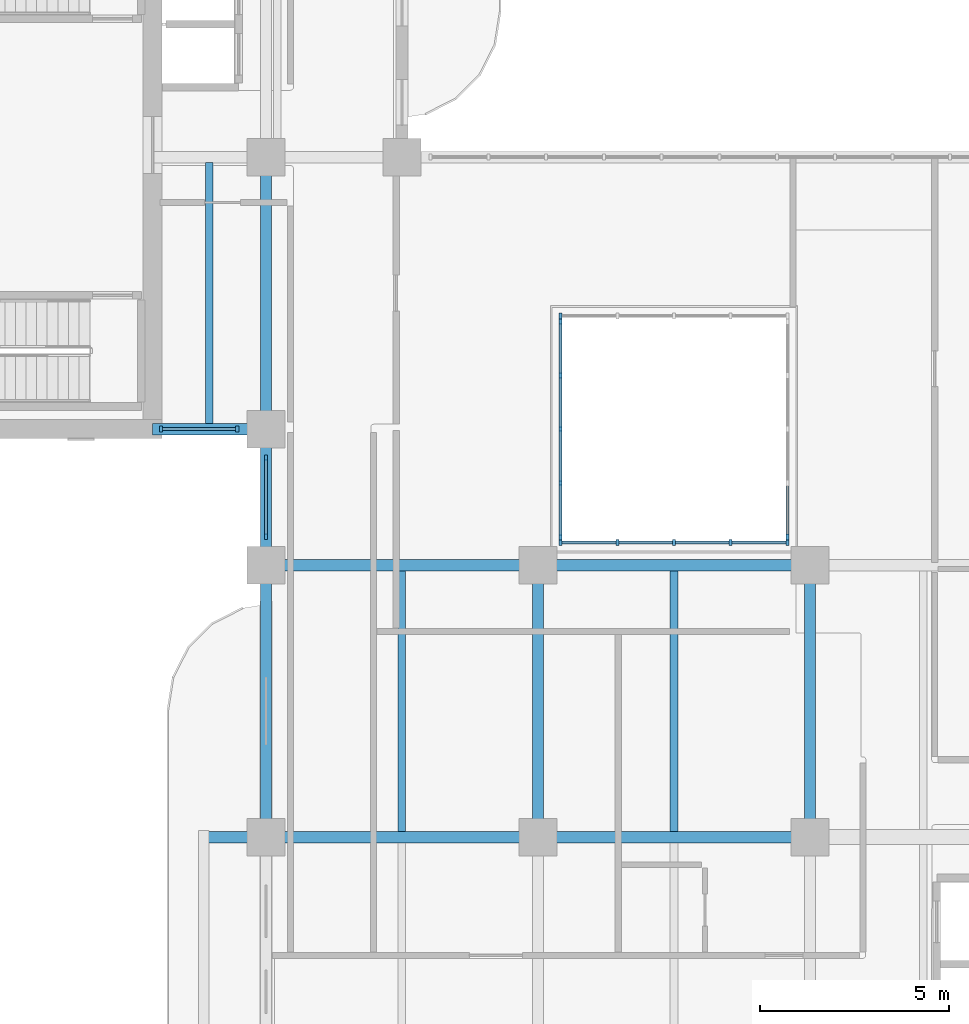
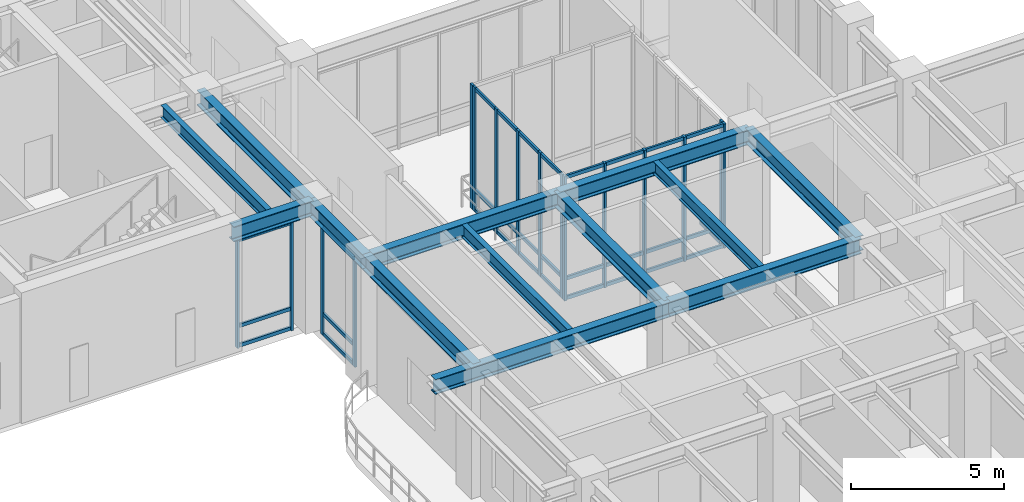
# One storey, part 2 of 21: 47 members, 13 beams, 6 elements without a shape of their own.
"""IFC4 building model written with IfcOpenShell, lengths in metres."""

from ifc_helpers import new_model, si_unit, derived_unit, direction, frame, origin, origin_2d, place, context, subcontext, project, spatial, rectangle, i_section, extrude, source, transform, mapped, material, layer, layer_set, material_profile, profile_set, type_object, type_shapes, element, aggregate, save


model = new_model("IFC4")

# Units and contexts
model_context = context("Model", 3, precision=1e-05, world=origin(), true_north=direction((0.0, 1.0)))
body_context = subcontext(model_context, "Body", "Model", "MODEL_VIEW")
ifc_project = project(units=[si_unit("LENGTHUNIT", "METRE"), si_unit("AREAUNIT", "SQUARE_METRE"), si_unit("VOLUMEUNIT", "CUBIC_METRE"), si_unit("PLANEANGLEUNIT", "RADIAN"), si_unit("MASSUNIT", "GRAM", prefix="KILO"), si_unit("THERMODYNAMICTEMPERATUREUNIT", "KELVIN"), si_unit("POWERUNIT", "WATT"), derived_unit("THERMALTRANSMITTANCEUNIT", [(si_unit("POWERUNIT", "WATT"), 1), (si_unit("AREAUNIT", "SQUARE_METRE"), -1), (si_unit("THERMODYNAMICTEMPERATUREUNIT", "KELVIN"), -1)])], contexts=[model_context])

# Site, building, storey
site_placement = place(None, origin())
site = spatial("IfcSite", under=ifc_project, at=site_placement, CompositionType="ELEMENT")
building_placement = place(site_placement, origin())
building = spatial("IfcBuilding", under=site, at=building_placement, Name="Zahravan Archway Hotel and Residences", CompositionType="ELEMENT")
storey_placement = place(building_placement, frame((0.0, 0.0, 145.10009765625)))
storey = spatial("IfcBuildingStorey", under=building, at=storey_placement, Name="L36", CompositionType="ELEMENT", Elevation=145.10009765625)

# Beams
ifc_material_1 = material(Name="Structural Steel S355JR", Category="steel")
ifc_material_profile_1 = material_profile(ifc_material_1, i_section(OverallWidth=0.300048828125, OverallDepth=0.60009765625, WebThickness=0.015380859375, FlangeThickness=0.030029296875, FilletRadius=0.027099609375, at=origin_2d()), Name="HEB 600", Category="steel")
ifc_profile_set_1 = profile_set([ifc_material_profile_1], Name="Structural Steel S355JR")
beam_type_1 = type_object("IfcBeamType", Name="BM-PRI-HEB600", PredefinedType="BEAM", material=ifc_profile_set_1)
shared_shape_1 = source(origin(), body_context, "Body", "SweptSolid", [
    extrude(i_section(OverallWidth=0.300048828125, OverallDepth=0.60009765625, WebThickness=0.015380859375, FlangeThickness=0.030029296875, FilletRadius=0.027099609375, at=origin_2d()), origin(), (0.0, 0.0, 1.0), 7.2001953125),
])
type_shapes(beam_type_1, [shared_shape_1])
for number, where, z_axis, x_axis, name in (
    (1, (14.39990234375, 21.60009765625, 4.64990234375), (1.0, 0.0, 0.0), (0.0, 1.0, 0.0), "L36 Primary Girder EW-11"),
    (2, (14.39990234375, 14.39990234375, 4.64990234375), (0.0, 1.0, 0.0), (-1.0, 0.0, 0.0), "L36 Primary Girder NS-30"),
    (3, (21.60009765625, 14.39990234375, 4.64990234375), (0.0, 1.0, 0.0), (-1.0, 0.0, 0.0), "L36 Primary Girder NS-37"),
    (4, (28.800048828125, 14.39990234375, 4.64990234375), (0.0, 1.0, 0.0), (-1.0, 0.0, 0.0), "L36 Primary Girder NS-40"),
):
    element("IfcBeam", number, at=place(storey_placement, frame(where, z_axis=z_axis, x_axis=x_axis)), inside=storey, type_object=beam_type_1, Name=name, PredefinedType="BEAM", context=body_context, shape_type="MappedRepresentation", body=[
        mapped(shared_shape_1, transform((0.0, 0.0, 0.0), scale=1.0)),
    ])
shared_shape_2 = source(origin(), body_context, "Body", "SweptSolid", [
    extrude(i_section(OverallWidth=0.300048828125, OverallDepth=0.60009765625, WebThickness=0.015380859375, FlangeThickness=0.030029296875, FilletRadius=0.027099609375, at=origin_2d()), origin(), (0.0, 0.0, 1.0), 7.199951171875),
])
for number, where, z_axis, x_axis, name in (
    (5, (21.60009765625, 14.39990234375, 4.64990234375), (1.0, 0.0, 0.0), (0.0, 1.0, 0.0), "L36 Primary Girder EW-10"),
    (6, (21.60009765625, 21.60009765625, 4.64990234375), (1.0, 0.0, 0.0), (0.0, 1.0, 0.0), "L36 Primary Girder EW-12"),
    (7, (14.39990234375, 25.199951171875, 4.64990234375), (0.0, 1.0, 0.0), (-1.0, 0.0, 0.0), "L36 Primary Girder NS-32"),
):
    element("IfcBeam", number, at=place(storey_placement, frame(where, z_axis=z_axis, x_axis=x_axis)), inside=storey, type_object=beam_type_1, Name=name, PredefinedType="BEAM", context=body_context, shape_type="MappedRepresentation", body=[
        mapped(shared_shape_2, transform((0.0, 0.0, 0.0), scale=1.0)),
    ])
shared_shape_3 = source(origin(), body_context, "Body", "SweptSolid", [
    extrude(i_section(OverallWidth=0.300048828125, OverallDepth=0.60009765625, WebThickness=0.015380859375, FlangeThickness=0.030029296875, FilletRadius=0.027099609375, at=origin_2d()), origin(), (0.0, 0.0, 1.0), 8.85009765625),
])
beam_1_placement = place(storey_placement, frame((12.75, 14.39990234375, 4.64990234375), z_axis=(1.0, 0.0, 0.0), x_axis=(0.0, 1.0, 0.0)))
element("IfcBeam", 8, at=beam_1_placement, inside=storey, type_object=beam_type_1, Name="L36 Primary Girder EW-09", PredefinedType="BEAM", context=body_context, shape_type="MappedRepresentation", body=[
    mapped(shared_shape_3, transform((0.0, 0.0, 0.0), scale=1.0)),
])
shared_shape_4 = source(origin(), body_context, "Body", "SweptSolid", [
    extrude(i_section(OverallWidth=0.300048828125, OverallDepth=0.60009765625, WebThickness=0.015380859375, FlangeThickness=0.030029296875, FilletRadius=0.027099609375, at=origin_2d()), origin(), (0.0, 0.0, 1.0), 3.0),
])
beam_2_placement = place(storey_placement, frame((11.39990234375, 25.199951171875, 4.64990234375), z_axis=(1.0, 0.0, 0.0), x_axis=(0.0, 1.0, 0.0)))
element("IfcBeam", 9, at=beam_2_placement, inside=storey, type_object=beam_type_1, Name="L36 Primary Girder EW-16", PredefinedType="BEAM", context=body_context, shape_type="MappedRepresentation", body=[
    mapped(shared_shape_4, transform((0.0, 0.0, 0.0), scale=1.0)),
])
shared_shape_5 = source(origin(), body_context, "Body", "SweptSolid", [
    extrude(i_section(OverallWidth=0.300048828125, OverallDepth=0.60009765625, WebThickness=0.015380859375, FlangeThickness=0.030029296875, FilletRadius=0.027099609375, at=origin_2d()), origin(), (0.0, 0.0, 1.0), 3.599853515625),
])
beam_3_placement = place(storey_placement, frame((14.39990234375, 21.60009765625, 4.64990234375), z_axis=(0.0, 1.0, 0.0), x_axis=(-1.0, 0.0, 0.0)))
element("IfcBeam", 10, at=beam_3_placement, inside=storey, type_object=beam_type_1, Name="L36 Primary Girder NS-31", PredefinedType="BEAM", context=body_context, shape_type="MappedRepresentation", body=[
    mapped(shared_shape_5, transform((0.0, 0.0, 0.0), scale=1.0)),
])
ifc_material_profile_2 = material_profile(ifc_material_1, i_section(OverallWidth=0.199951171875, OverallDepth=0.5, WebThickness=0.01025390625, FlangeThickness=0.01611328125, FilletRadius=0.02099609375, at=origin_2d()), Name="IPE 500", Category="steel")
ifc_profile_set_2 = profile_set([ifc_material_profile_2], Name="Structural Steel S355JR")
beam_type_2 = type_object("IfcBeamType", Name="BM-JST-IPE500", PredefinedType="JOIST", material=ifc_profile_set_2)
shared_shape_6 = source(origin(), body_context, "Body", "SweptSolid", [
    extrude(i_section(OverallWidth=0.199951171875, OverallDepth=0.5, WebThickness=0.01025390625, FlangeThickness=0.01611328125, FilletRadius=0.02099609375, at=origin_2d()), origin(), (0.0, 0.0, 1.0), 6.904052734375),
])
type_shapes(beam_type_2, [shared_shape_6])
beam_4_placement = place(storey_placement, frame((12.89990234375, 25.347900390625, 4.699951171875), z_axis=(0.0, 1.0, 0.0), x_axis=(-1.0, 0.0, 0.0)))
element("IfcBeam", 11, at=beam_4_placement, inside=storey, type_object=beam_type_2, Name="L36 Composite Floor Joist 10", PredefinedType="JOIST", context=body_context, shape_type="MappedRepresentation", body=[
    mapped(shared_shape_6, transform((0.0, 0.0, 0.0), scale=1.0)),
])
shared_shape_7 = source(origin(), body_context, "Body", "SweptSolid", [
    extrude(i_section(OverallWidth=0.199951171875, OverallDepth=0.5, WebThickness=0.01025390625, FlangeThickness=0.01611328125, FilletRadius=0.02099609375, at=origin_2d()), origin(), (0.0, 0.0, 1.0), 6.90380859375),
])
for number, where, z_axis, x_axis, name in (
    (12, (18.0, 14.548095703125, 4.699951171875), (0.0, 1.0, 0.0), (-1.0, 0.0, 0.0), "L36 Composite Floor Joist 08"),
    (13, (25.199951171875, 14.548095703125, 4.699951171875), (0.0, 1.0, 0.0), (-1.0, 0.0, 0.0), "L36 Composite Floor Joist 09"),
):
    element("IfcBeam", number, at=place(storey_placement, frame(where, z_axis=z_axis, x_axis=x_axis)), inside=storey, type_object=beam_type_2, Name=name, PredefinedType="JOIST", context=body_context, shape_type="MappedRepresentation", body=[
        mapped(shared_shape_7, transform((0.0, 0.0, 0.0), scale=1.0)),
    ])

# Curtain wall, members
ifc_material_2 = material(Name="Bronze-Anodized Unitised Aluminium & Low-E Glass", Category="aluminium")
ifc_layer_1 = layer(ifc_material_2, 0.179931640625, Name="Bronze-Anodized Unitised Aluminium & Low-E Glass", Category="aluminium")
ifc_layer_set_1 = layer_set([ifc_layer_1], Name="Bronze-Anodized Unitised Aluminium & Low-E Glass")
curtain_wall_type_1 = type_object("IfcCurtainWallType", Name="CW-SBG-2", PredefinedType="NOTDEFINED", material=ifc_layer_set_1)
curtain_wall_1_placement = place(storey_placement, origin())
curtain_wall_1 = element("IfcCurtainWall", 14, at=curtain_wall_1_placement, inside=storey, type_object=curtain_wall_type_1, Name="L36 Curtain Wall CW-L36-WB-SE-1", PredefinedType="NOTDEFINED")
ifc_material_3 = material(Name="Bronze-Anodized Extruded Aluminium", Category="aluminium")
ifc_material_profile_3 = material_profile(ifc_material_3, rectangle(XDim=0.080078125, YDim=0.139892578125, at=origin_2d()), Name="TRN 80x140", Category="aluminium")
ifc_profile_set_3 = profile_set([ifc_material_profile_3], Name="Bronze-Anodized Extruded Aluminium")
member_type_1 = type_object("IfcMemberType", Name="CWM-TRN-140", PredefinedType="USERDEFINED", material=ifc_profile_set_3)
shared_shape_8 = source(origin(), body_context, "Body", "SweptSolid", [
    extrude(rectangle(XDim=0.080078125, YDim=0.139892578125, at=origin_2d()), origin(), (0.0, 0.0, 1.0), 1.940185546875),
])
member_1_placement = place(storey_placement, frame((11.659912109375, 25.199951171875, 0.06982421875), z_axis=(1.0, 0.0, 0.0), x_axis=(0.0, 1.0, 0.0)))
member_1 = element("IfcMember", 15, at=member_1_placement, type_object=member_type_1, Name="CW-L36-WB-SE-1 Transom 0-1", ObjectType="TRANSOM", PredefinedType="USERDEFINED", context=body_context, shape_type="MappedRepresentation", body=[
    mapped(shared_shape_8, transform((0.0, 0.0, 0.0), scale=1.0)),
])
member_2_placement = place(storey_placement, frame((11.659912109375, 25.199951171875, 0.849853515625), z_axis=(1.0, 0.0, 0.0), x_axis=(0.0, 1.0, 0.0)))
member_2 = element("IfcMember", 16, at=member_2_placement, type_object=member_type_1, Name="CW-L36-WB-SE-1 Transom 0-2", ObjectType="TRANSOM", PredefinedType="USERDEFINED", context=body_context, shape_type="MappedRepresentation", body=[
    mapped(shared_shape_8, transform((0.0, 0.0, 0.0), scale=1.0)),
])
member_3_placement = place(storey_placement, frame((11.659912109375, 25.199951171875, 4.264892578125), z_axis=(1.0, 0.0, 0.0), x_axis=(0.0, 1.0, 0.0)))
member_3 = element("IfcMember", 17, at=member_3_placement, type_object=member_type_1, Name="CW-L36-WB-SE-1 Transom 0-3", ObjectType="TRANSOM", PredefinedType="USERDEFINED", context=body_context, shape_type="MappedRepresentation", body=[
    mapped(shared_shape_8, transform((0.0, 0.0, 0.0), scale=1.0)),
])

curtain_wall_2_placement = place(storey_placement, origin())
curtain_wall_2 = element("IfcCurtainWall", 18, at=curtain_wall_2_placement, inside=storey, type_object=curtain_wall_type_1, Name="L36 Curtain Wall CW-L36-WA-WLU-1", PredefinedType="NOTDEFINED")
shared_shape_9 = source(origin(), body_context, "Body", "SweptSolid", [
    extrude(rectangle(XDim=0.080078125, YDim=0.139892578125, at=origin_2d()), origin(), (0.0, 0.0, 1.0), 2.0),
])
member_4_placement = place(storey_placement, frame((14.39990234375, 22.39990234375, 0.06982421875), z_axis=(0.0, 1.0, 0.0), x_axis=(-1.0, 0.0, 0.0)))
member_4 = element("IfcMember", 19, at=member_4_placement, type_object=member_type_1, Name="CW-L36-WA-WLU-1 Transom 0-1", ObjectType="TRANSOM", PredefinedType="USERDEFINED", context=body_context, shape_type="MappedRepresentation", body=[
    mapped(shared_shape_9, transform((0.0, 0.0, 0.0), scale=1.0)),
])
member_5_placement = place(storey_placement, frame((14.39990234375, 22.39990234375, 0.849853515625), z_axis=(0.0, 1.0, 0.0), x_axis=(-1.0, 0.0, 0.0)))
member_5 = element("IfcMember", 20, at=member_5_placement, type_object=member_type_1, Name="CW-L36-WA-WLU-1 Transom 0-2", ObjectType="TRANSOM", PredefinedType="USERDEFINED", context=body_context, shape_type="MappedRepresentation", body=[
    mapped(shared_shape_9, transform((0.0, 0.0, 0.0), scale=1.0)),
])
member_6_placement = place(storey_placement, frame((14.39990234375, 22.39990234375, 4.264892578125), z_axis=(0.0, 1.0, 0.0), x_axis=(-1.0, 0.0, 0.0)))
member_6 = element("IfcMember", 21, at=member_6_placement, type_object=member_type_1, Name="CW-L36-WA-WLU-1 Transom 0-3", ObjectType="TRANSOM", PredefinedType="USERDEFINED", context=body_context, shape_type="MappedRepresentation", body=[
    mapped(shared_shape_9, transform((0.0, 0.0, 0.0), scale=1.0)),
])

ifc_layer_2 = layer(ifc_material_2, 0.179931640625, Name="Bronze-Anodized Unitised Aluminium & Low-E Glass", Category="aluminium")
ifc_layer_set_2 = layer_set([ifc_layer_2], Name="Bronze-Anodized Unitised Aluminium & Low-E Glass")
curtain_wall_type_2 = type_object("IfcCurtainWallType", Name="CW-ATR-GLAZ", PredefinedType="NOTDEFINED", material=ifc_layer_set_2)
curtain_wall_3_placement = place(storey_placement, origin())
curtain_wall_3 = element("IfcCurtainWall", 22, at=curtain_wall_3_placement, inside=storey, type_object=curtain_wall_type_2, Name="L36 Curtain Wall CW-ATR-L36-S-1", PredefinedType="NOTDEFINED")
shared_shape_10 = source(origin(), body_context, "Body", "SweptSolid", [
    extrude(rectangle(XDim=0.080078125, YDim=0.139892578125, at=origin_2d()), origin(), (0.0, 0.0, 1.0), 1.419921875),
])
member_7_placement = place(storey_placement, frame((22.239990234375, 22.199951171875, 0.06982421875), z_axis=(1.0, 0.0, 0.0), x_axis=(0.0, 1.0, 0.0)))
member_7 = element("IfcMember", 23, at=member_7_placement, type_object=member_type_1, Name="CW-ATR-L36-S-1 Transom 0-1", ObjectType="TRANSOM", PredefinedType="USERDEFINED", context=body_context, shape_type="MappedRepresentation", body=[
    mapped(shared_shape_10, transform((0.0, 0.0, 0.0), scale=1.0)),
])
member_8_placement = place(storey_placement, frame((22.239990234375, 22.199951171875, 0.849853515625), z_axis=(1.0, 0.0, 0.0), x_axis=(0.0, 1.0, 0.0)))
member_8 = element("IfcMember", 24, at=member_8_placement, type_object=member_type_1, Name="CW-ATR-L36-S-1 Transom 0-2", ObjectType="TRANSOM", PredefinedType="USERDEFINED", context=body_context, shape_type="MappedRepresentation", body=[
    mapped(shared_shape_10, transform((0.0, 0.0, 0.0), scale=1.0)),
])
member_9_placement = place(storey_placement, frame((22.239990234375, 22.199951171875, 4.8798828125), z_axis=(1.0, 0.0, 0.0), x_axis=(0.0, 1.0, 0.0)))
member_9 = element("IfcMember", 25, at=member_9_placement, type_object=member_type_1, Name="CW-ATR-L36-S-1 Transom 0-3", ObjectType="TRANSOM", PredefinedType="USERDEFINED", context=body_context, shape_type="MappedRepresentation", body=[
    mapped(shared_shape_10, transform((0.0, 0.0, 0.0), scale=1.0)),
])
member_10_placement = place(storey_placement, frame((23.739990234375, 22.199951171875, 0.06982421875), z_axis=(1.0, 0.0, 0.0), x_axis=(0.0, 1.0, 0.0)))
member_10 = element("IfcMember", 26, at=member_10_placement, type_object=member_type_1, Name="CW-ATR-L36-S-1 Transom 1-1", ObjectType="TRANSOM", PredefinedType="USERDEFINED", context=body_context, shape_type="MappedRepresentation", body=[
    mapped(shared_shape_10, transform((0.0, 0.0, 0.0), scale=1.0)),
])
member_11_placement = place(storey_placement, frame((23.739990234375, 22.199951171875, 0.849853515625), z_axis=(1.0, 0.0, 0.0), x_axis=(0.0, 1.0, 0.0)))
member_11 = element("IfcMember", 27, at=member_11_placement, type_object=member_type_1, Name="CW-ATR-L36-S-1 Transom 1-2", ObjectType="TRANSOM", PredefinedType="USERDEFINED", context=body_context, shape_type="MappedRepresentation", body=[
    mapped(shared_shape_10, transform((0.0, 0.0, 0.0), scale=1.0)),
])
member_12_placement = place(storey_placement, frame((23.739990234375, 22.199951171875, 4.8798828125), z_axis=(1.0, 0.0, 0.0), x_axis=(0.0, 1.0, 0.0)))
member_12 = element("IfcMember", 28, at=member_12_placement, type_object=member_type_1, Name="CW-ATR-L36-S-1 Transom 1-3", ObjectType="TRANSOM", PredefinedType="USERDEFINED", context=body_context, shape_type="MappedRepresentation", body=[
    mapped(shared_shape_10, transform((0.0, 0.0, 0.0), scale=1.0)),
])
member_13_placement = place(storey_placement, frame((25.239990234375, 22.199951171875, 0.06982421875), z_axis=(1.0, 0.0, 0.0), x_axis=(0.0, 1.0, 0.0)))
member_13 = element("IfcMember", 29, at=member_13_placement, type_object=member_type_1, Name="CW-ATR-L36-S-1 Transom 2-1", ObjectType="TRANSOM", PredefinedType="USERDEFINED", context=body_context, shape_type="MappedRepresentation", body=[
    mapped(shared_shape_10, transform((0.0, 0.0, 0.0), scale=1.0)),
])
member_14_placement = place(storey_placement, frame((25.239990234375, 22.199951171875, 0.849853515625), z_axis=(1.0, 0.0, 0.0), x_axis=(0.0, 1.0, 0.0)))
member_14 = element("IfcMember", 30, at=member_14_placement, type_object=member_type_1, Name="CW-ATR-L36-S-1 Transom 2-2", ObjectType="TRANSOM", PredefinedType="USERDEFINED", context=body_context, shape_type="MappedRepresentation", body=[
    mapped(shared_shape_10, transform((0.0, 0.0, 0.0), scale=1.0)),
])
member_15_placement = place(storey_placement, frame((25.239990234375, 22.199951171875, 4.8798828125), z_axis=(1.0, 0.0, 0.0), x_axis=(0.0, 1.0, 0.0)))
member_15 = element("IfcMember", 31, at=member_15_placement, type_object=member_type_1, Name="CW-ATR-L36-S-1 Transom 2-3", ObjectType="TRANSOM", PredefinedType="USERDEFINED", context=body_context, shape_type="MappedRepresentation", body=[
    mapped(shared_shape_10, transform((0.0, 0.0, 0.0), scale=1.0)),
])
member_16_placement = place(storey_placement, frame((26.739990234375, 22.199951171875, 0.06982421875), z_axis=(1.0, 0.0, 0.0), x_axis=(0.0, 1.0, 0.0)))
member_16 = element("IfcMember", 32, at=member_16_placement, type_object=member_type_1, Name="CW-ATR-L36-S-1 Transom 3-1", ObjectType="TRANSOM", PredefinedType="USERDEFINED", context=body_context, shape_type="MappedRepresentation", body=[
    mapped(shared_shape_10, transform((0.0, 0.0, 0.0), scale=1.0)),
])
member_17_placement = place(storey_placement, frame((26.739990234375, 22.199951171875, 0.849853515625), z_axis=(1.0, 0.0, 0.0), x_axis=(0.0, 1.0, 0.0)))
member_17 = element("IfcMember", 33, at=member_17_placement, type_object=member_type_1, Name="CW-ATR-L36-S-1 Transom 3-2", ObjectType="TRANSOM", PredefinedType="USERDEFINED", context=body_context, shape_type="MappedRepresentation", body=[
    mapped(shared_shape_10, transform((0.0, 0.0, 0.0), scale=1.0)),
])
member_18_placement = place(storey_placement, frame((26.739990234375, 22.199951171875, 4.8798828125), z_axis=(1.0, 0.0, 0.0), x_axis=(0.0, 1.0, 0.0)))
member_18 = element("IfcMember", 34, at=member_18_placement, type_object=member_type_1, Name="CW-ATR-L36-S-1 Transom 3-3", ObjectType="TRANSOM", PredefinedType="USERDEFINED", context=body_context, shape_type="MappedRepresentation", body=[
    mapped(shared_shape_10, transform((0.0, 0.0, 0.0), scale=1.0)),
])

curtain_wall_4_placement = place(storey_placement, origin())
curtain_wall_4 = element("IfcCurtainWall", 35, at=curtain_wall_4_placement, inside=storey, type_object=curtain_wall_type_2, Name="L36 Curtain Wall CW-ATR-L36-W-1", PredefinedType="NOTDEFINED")
shared_shape_11 = source(origin(), body_context, "Body", "SweptSolid", [
    extrude(rectangle(XDim=0.080078125, YDim=0.139892578125, at=origin_2d()), origin(), (0.0, 0.0, 1.0), 1.34521484375),
])
member_19_placement = place(storey_placement, frame((22.199951171875, 22.389892578125, 0.06982421875), z_axis=(0.0, 1.0, 0.0), x_axis=(-1.0, 0.0, 0.0)))
member_19 = element("IfcMember", 36, at=member_19_placement, type_object=member_type_1, Name="CW-ATR-L36-W-1 Transom 0-1", ObjectType="TRANSOM", PredefinedType="USERDEFINED", context=body_context, shape_type="MappedRepresentation", body=[
    mapped(shared_shape_11, transform((0.0, 0.0, 0.0), scale=1.0)),
])
member_20_placement = place(storey_placement, frame((22.199951171875, 22.389892578125, 0.849853515625), z_axis=(0.0, 1.0, 0.0), x_axis=(-1.0, 0.0, 0.0)))
member_20 = element("IfcMember", 37, at=member_20_placement, type_object=member_type_1, Name="CW-ATR-L36-W-1 Transom 0-2", ObjectType="TRANSOM", PredefinedType="USERDEFINED", context=body_context, shape_type="MappedRepresentation", body=[
    mapped(shared_shape_11, transform((0.0, 0.0, 0.0), scale=1.0)),
])
member_21_placement = place(storey_placement, frame((22.199951171875, 22.389892578125, 4.8798828125), z_axis=(0.0, 1.0, 0.0), x_axis=(-1.0, 0.0, 0.0)))
member_21 = element("IfcMember", 38, at=member_21_placement, type_object=member_type_1, Name="CW-ATR-L36-W-1 Transom 0-3", ObjectType="TRANSOM", PredefinedType="USERDEFINED", context=body_context, shape_type="MappedRepresentation", body=[
    mapped(shared_shape_11, transform((0.0, 0.0, 0.0), scale=1.0)),
])

# Curtain wall, member
curtain_wall_5_placement = place(storey_placement, origin())
curtain_wall_5 = element("IfcCurtainWall", 39, at=curtain_wall_5_placement, inside=storey, type_object=curtain_wall_type_2, Name="L36 Curtain Wall CW-ATR-L36-E-1", PredefinedType="NOTDEFINED")
member_22_placement = place(storey_placement, frame((28.199951171875, 22.389892578125, 0.06982421875), z_axis=(0.0, 1.0, 0.0), x_axis=(-1.0, 0.0, 0.0)))
member_22 = element("IfcMember", 40, at=member_22_placement, type_object=member_type_1, Name="CW-ATR-L36-E-1 Transom 0-1", ObjectType="TRANSOM", PredefinedType="USERDEFINED", context=body_context, shape_type="MappedRepresentation", body=[
    mapped(shared_shape_11, transform((0.0, 0.0, 0.0), scale=1.0)),
])

# Member
shared_shape_12 = source(origin(), body_context, "Body", "SweptSolid", [
    extrude(rectangle(XDim=0.080078125, YDim=0.139892578125, at=origin_2d()), origin(), (0.0, 0.0, 1.0), 1.344970703125),
])
member_23_placement = place(storey_placement, frame((22.199951171875, 23.81494140625, 0.06982421875), z_axis=(0.0, 1.0, 0.0), x_axis=(-1.0, 0.0, 0.0)))
member_23 = element("IfcMember", 41, at=member_23_placement, type_object=member_type_1, Name="CW-ATR-L36-W-1 Transom 1-1", ObjectType="TRANSOM", PredefinedType="USERDEFINED", context=body_context, shape_type="MappedRepresentation", body=[
    mapped(shared_shape_12, transform((0.0, 0.0, 0.0), scale=1.0)),
])

member_24_placement = place(storey_placement, frame((22.199951171875, 23.81494140625, 0.849853515625), z_axis=(0.0, 1.0, 0.0), x_axis=(-1.0, 0.0, 0.0)))
member_24 = element("IfcMember", 42, at=member_24_placement, type_object=member_type_1, Name="CW-ATR-L36-W-1 Transom 1-2", ObjectType="TRANSOM", PredefinedType="USERDEFINED", context=body_context, shape_type="MappedRepresentation", body=[
    mapped(shared_shape_12, transform((0.0, 0.0, 0.0), scale=1.0)),
])

member_25_placement = place(storey_placement, frame((22.199951171875, 23.81494140625, 4.8798828125), z_axis=(0.0, 1.0, 0.0), x_axis=(-1.0, 0.0, 0.0)))
member_25 = element("IfcMember", 43, at=member_25_placement, type_object=member_type_1, Name="CW-ATR-L36-W-1 Transom 1-3", ObjectType="TRANSOM", PredefinedType="USERDEFINED", context=body_context, shape_type="MappedRepresentation", body=[
    mapped(shared_shape_12, transform((0.0, 0.0, 0.0), scale=1.0)),
])

member_26_placement = place(storey_placement, frame((22.199951171875, 25.239990234375, 0.06982421875), z_axis=(0.0, 1.0, 0.0), x_axis=(-1.0, 0.0, 0.0)))
member_26 = element("IfcMember", 44, at=member_26_placement, type_object=member_type_1, Name="CW-ATR-L36-W-1 Transom 2-1", ObjectType="TRANSOM", PredefinedType="USERDEFINED", context=body_context, shape_type="MappedRepresentation", body=[
    mapped(shared_shape_12, transform((0.0, 0.0, 0.0), scale=1.0)),
])

member_27_placement = place(storey_placement, frame((22.199951171875, 25.239990234375, 0.849853515625), z_axis=(0.0, 1.0, 0.0), x_axis=(-1.0, 0.0, 0.0)))
member_27 = element("IfcMember", 45, at=member_27_placement, type_object=member_type_1, Name="CW-ATR-L36-W-1 Transom 2-2", ObjectType="TRANSOM", PredefinedType="USERDEFINED", context=body_context, shape_type="MappedRepresentation", body=[
    mapped(shared_shape_12, transform((0.0, 0.0, 0.0), scale=1.0)),
])

member_28_placement = place(storey_placement, frame((22.199951171875, 25.239990234375, 4.8798828125), z_axis=(0.0, 1.0, 0.0), x_axis=(-1.0, 0.0, 0.0)))
member_28 = element("IfcMember", 46, at=member_28_placement, type_object=member_type_1, Name="CW-ATR-L36-W-1 Transom 2-3", ObjectType="TRANSOM", PredefinedType="USERDEFINED", context=body_context, shape_type="MappedRepresentation", body=[
    mapped(shared_shape_12, transform((0.0, 0.0, 0.0), scale=1.0)),
])

member_29_placement = place(storey_placement, frame((22.199951171875, 26.6650390625, 0.06982421875), z_axis=(0.0, 1.0, 0.0), x_axis=(-1.0, 0.0, 0.0)))
member_29 = element("IfcMember", 47, at=member_29_placement, type_object=member_type_1, Name="CW-ATR-L36-W-1 Transom 3-1", ObjectType="TRANSOM", PredefinedType="USERDEFINED", context=body_context, shape_type="MappedRepresentation", body=[
    mapped(shared_shape_12, transform((0.0, 0.0, 0.0), scale=1.0)),
])

member_30_placement = place(storey_placement, frame((22.199951171875, 26.6650390625, 0.849853515625), z_axis=(0.0, 1.0, 0.0), x_axis=(-1.0, 0.0, 0.0)))
member_30 = element("IfcMember", 48, at=member_30_placement, type_object=member_type_1, Name="CW-ATR-L36-W-1 Transom 3-2", ObjectType="TRANSOM", PredefinedType="USERDEFINED", context=body_context, shape_type="MappedRepresentation", body=[
    mapped(shared_shape_12, transform((0.0, 0.0, 0.0), scale=1.0)),
])

member_31_placement = place(storey_placement, frame((22.199951171875, 26.6650390625, 4.8798828125), z_axis=(0.0, 1.0, 0.0), x_axis=(-1.0, 0.0, 0.0)))
member_31 = element("IfcMember", 49, at=member_31_placement, type_object=member_type_1, Name="CW-ATR-L36-W-1 Transom 3-3", ObjectType="TRANSOM", PredefinedType="USERDEFINED", context=body_context, shape_type="MappedRepresentation", body=[
    mapped(shared_shape_12, transform((0.0, 0.0, 0.0), scale=1.0)),
])

ifc_material_profile_4 = material_profile(ifc_material_3, rectangle(XDim=0.080078125, YDim=0.159912109375, at=origin_2d()), Name="MUL 80x160", Category="aluminium")
ifc_profile_set_4 = profile_set([ifc_material_profile_4], Name="Bronze-Anodized Extruded Aluminium")
member_type_2 = type_object("IfcMemberType", Name="CWM-MUL-160", PredefinedType="MULLION", material=ifc_profile_set_4)
shared_shape_13 = source(origin(), body_context, "Body", "SweptSolid", [
    extrude(rectangle(XDim=0.080078125, YDim=0.159912109375, at=origin_2d()), origin(), (0.0, 0.0, 1.0), 4.3349609375),
])
member_32_placement = place(storey_placement, frame((14.39990234375, 22.360107421875, 0.0), z_axis=(0.0, 0.0, 1.0), x_axis=(1.0, 0.0, 0.0)))
member_32 = element("IfcMember", 50, at=member_32_placement, type_object=member_type_2, Name="CW-L36-WA-WLU-1 Mullion 0", PredefinedType="MULLION", context=body_context, shape_type="MappedRepresentation", body=[
    mapped(shared_shape_13, transform((0.0, 0.0, 0.0), scale=1.0)),
])

member_33_placement = place(storey_placement, frame((14.39990234375, 24.43994140625, 0.0), z_axis=(0.0, 0.0, 1.0), x_axis=(1.0, 0.0, 0.0)))
member_33 = element("IfcMember", 51, at=member_33_placement, type_object=member_type_2, Name="CW-L36-WA-WLU-1 Mullion 1", PredefinedType="MULLION", context=body_context, shape_type="MappedRepresentation", body=[
    mapped(shared_shape_13, transform((0.0, 0.0, 0.0), scale=1.0)),
])

aggregate(curtain_wall_2, [member_32, member_33, member_4, member_5, member_6])

member_34_placement = place(storey_placement, frame((11.6201171875, 25.199951171875, 0.0), z_axis=(0.0, 0.0, 1.0), x_axis=(1.0, 0.0, 0.0)))
member_34 = element("IfcMember", 52, at=member_34_placement, type_object=member_type_2, Name="CW-L36-WB-SE-1 Mullion 0", PredefinedType="MULLION", context=body_context, shape_type="MappedRepresentation", body=[
    mapped(shared_shape_13, transform((0.0, 0.0, 0.0), scale=1.0)),
])

member_35_placement = place(storey_placement, frame((13.639892578125, 25.199951171875, 0.0), z_axis=(0.0, 0.0, 1.0), x_axis=(1.0, 0.0, 0.0)))
member_35 = element("IfcMember", 53, at=member_35_placement, type_object=member_type_2, Name="CW-L36-WB-SE-1 Mullion 1", PredefinedType="MULLION", context=body_context, shape_type="MappedRepresentation", body=[
    mapped(shared_shape_13, transform((0.0, 0.0, 0.0), scale=1.0)),
])

aggregate(curtain_wall_1, [member_34, member_35, member_1, member_2, member_3])

shared_shape_14 = source(origin(), body_context, "Body", "SweptSolid", [
    extrude(rectangle(XDim=0.080078125, YDim=0.159912109375, at=origin_2d()), origin(), (0.0, 0.0, 1.0), 4.949951171875),
])
member_36_placement = place(storey_placement, frame((22.199951171875, 22.199951171875, 0.0), z_axis=(0.0, 0.0, 1.0), x_axis=(1.0, 0.0, 0.0)))
member_36 = element("IfcMember", 54, at=member_36_placement, type_object=member_type_2, Name="CW-ATR-L36-S-1 Mullion 0", PredefinedType="MULLION", context=body_context, shape_type="MappedRepresentation", body=[
    mapped(shared_shape_14, transform((0.0, 0.0, 0.0), scale=1.0)),
])

member_37_placement = place(storey_placement, frame((23.699951171875, 22.199951171875, 0.0), z_axis=(0.0, 0.0, 1.0), x_axis=(1.0, 0.0, 0.0)))
member_37 = element("IfcMember", 55, at=member_37_placement, type_object=member_type_2, Name="CW-ATR-L36-S-1 Mullion 1", PredefinedType="MULLION", context=body_context, shape_type="MappedRepresentation", body=[
    mapped(shared_shape_14, transform((0.0, 0.0, 0.0), scale=1.0)),
])

member_38_placement = place(storey_placement, frame((25.199951171875, 22.199951171875, 0.0), z_axis=(0.0, 0.0, 1.0), x_axis=(1.0, 0.0, 0.0)))
member_38 = element("IfcMember", 56, at=member_38_placement, type_object=member_type_2, Name="CW-ATR-L36-S-1 Mullion 2", PredefinedType="MULLION", context=body_context, shape_type="MappedRepresentation", body=[
    mapped(shared_shape_14, transform((0.0, 0.0, 0.0), scale=1.0)),
])

member_39_placement = place(storey_placement, frame((26.699951171875, 22.199951171875, 0.0), z_axis=(0.0, 0.0, 1.0), x_axis=(1.0, 0.0, 0.0)))
member_39 = element("IfcMember", 57, at=member_39_placement, type_object=member_type_2, Name="CW-ATR-L36-S-1 Mullion 3", PredefinedType="MULLION", context=body_context, shape_type="MappedRepresentation", body=[
    mapped(shared_shape_14, transform((0.0, 0.0, 0.0), scale=1.0)),
])

member_40_placement = place(storey_placement, frame((28.199951171875, 22.199951171875, 0.0), z_axis=(0.0, 0.0, 1.0), x_axis=(1.0, 0.0, 0.0)))
member_40 = element("IfcMember", 58, at=member_40_placement, type_object=member_type_2, Name="CW-ATR-L36-S-1 Mullion 4", PredefinedType="MULLION", context=body_context, shape_type="MappedRepresentation", body=[
    mapped(shared_shape_14, transform((0.0, 0.0, 0.0), scale=1.0)),
])

aggregate(curtain_wall_3, [member_36, member_37, member_38, member_39, member_40, member_7, member_8, member_9, member_10, member_11, member_12, member_13, member_14, member_15, member_16, member_17, member_18])

# Curtain wall, member
curtain_wall_6_placement = place(storey_placement, origin())
curtain_wall_6 = element("IfcCurtainWall", 59, at=curtain_wall_6_placement, inside=storey, type_object=curtain_wall_type_2, Name="L36 Curtain Wall CW-ATR-L36-N-1", PredefinedType="NOTDEFINED")
member_41_placement = place(storey_placement, frame((22.199951171875, 28.199951171875, 0.0), z_axis=(0.0, 0.0, 1.0), x_axis=(1.0, 0.0, 0.0)))
member_41 = element("IfcMember", 60, at=member_41_placement, type_object=member_type_2, Name="CW-ATR-L36-N-1 Mullion 0", PredefinedType="MULLION", context=body_context, shape_type="MappedRepresentation", body=[
    mapped(shared_shape_14, transform((0.0, 0.0, 0.0), scale=1.0)),
])
aggregate(curtain_wall_6, [member_41])

# Member
member_42_placement = place(storey_placement, frame((22.199951171875, 22.35009765625, 0.0), z_axis=(0.0, 0.0, 1.0), x_axis=(1.0, 0.0, 0.0)))
member_42 = element("IfcMember", 61, at=member_42_placement, type_object=member_type_2, Name="CW-ATR-L36-W-1 Mullion 0", PredefinedType="MULLION", context=body_context, shape_type="MappedRepresentation", body=[
    mapped(shared_shape_14, transform((0.0, 0.0, 0.0), scale=1.0)),
])

member_43_placement = place(storey_placement, frame((22.199951171875, 23.77490234375, 0.0), z_axis=(0.0, 0.0, 1.0), x_axis=(1.0, 0.0, 0.0)))
member_43 = element("IfcMember", 62, at=member_43_placement, type_object=member_type_2, Name="CW-ATR-L36-W-1 Mullion 1", PredefinedType="MULLION", context=body_context, shape_type="MappedRepresentation", body=[
    mapped(shared_shape_14, transform((0.0, 0.0, 0.0), scale=1.0)),
])

member_44_placement = place(storey_placement, frame((22.199951171875, 25.199951171875, 0.0), z_axis=(0.0, 0.0, 1.0), x_axis=(1.0, 0.0, 0.0)))
member_44 = element("IfcMember", 63, at=member_44_placement, type_object=member_type_2, Name="CW-ATR-L36-W-1 Mullion 2", PredefinedType="MULLION", context=body_context, shape_type="MappedRepresentation", body=[
    mapped(shared_shape_14, transform((0.0, 0.0, 0.0), scale=1.0)),
])

member_45_placement = place(storey_placement, frame((22.199951171875, 26.625, 0.0), z_axis=(0.0, 0.0, 1.0), x_axis=(1.0, 0.0, 0.0)))
member_45 = element("IfcMember", 64, at=member_45_placement, type_object=member_type_2, Name="CW-ATR-L36-W-1 Mullion 3", PredefinedType="MULLION", context=body_context, shape_type="MappedRepresentation", body=[
    mapped(shared_shape_14, transform((0.0, 0.0, 0.0), scale=1.0)),
])

member_46_placement = place(storey_placement, frame((22.199951171875, 28.050048828125, 0.0), z_axis=(0.0, 0.0, 1.0), x_axis=(1.0, 0.0, 0.0)))
member_46 = element("IfcMember", 65, at=member_46_placement, type_object=member_type_2, Name="CW-ATR-L36-W-1 Mullion 4", PredefinedType="MULLION", context=body_context, shape_type="MappedRepresentation", body=[
    mapped(shared_shape_14, transform((0.0, 0.0, 0.0), scale=1.0)),
])

aggregate(curtain_wall_4, [member_42, member_43, member_44, member_45, member_46, member_19, member_20, member_21, member_23, member_24, member_25, member_26, member_27, member_28, member_29, member_30, member_31])

member_47_placement = place(storey_placement, frame((28.199951171875, 22.35009765625, 0.0), z_axis=(0.0, 0.0, 1.0), x_axis=(1.0, 0.0, 0.0)))
member_47 = element("IfcMember", 66, at=member_47_placement, type_object=member_type_2, Name="CW-ATR-L36-E-1 Mullion 0", PredefinedType="MULLION", context=body_context, shape_type="MappedRepresentation", body=[
    mapped(shared_shape_14, transform((0.0, 0.0, 0.0), scale=1.0)),
])

aggregate(curtain_wall_5, [member_47, member_22])

save(model, "model.ifc")
